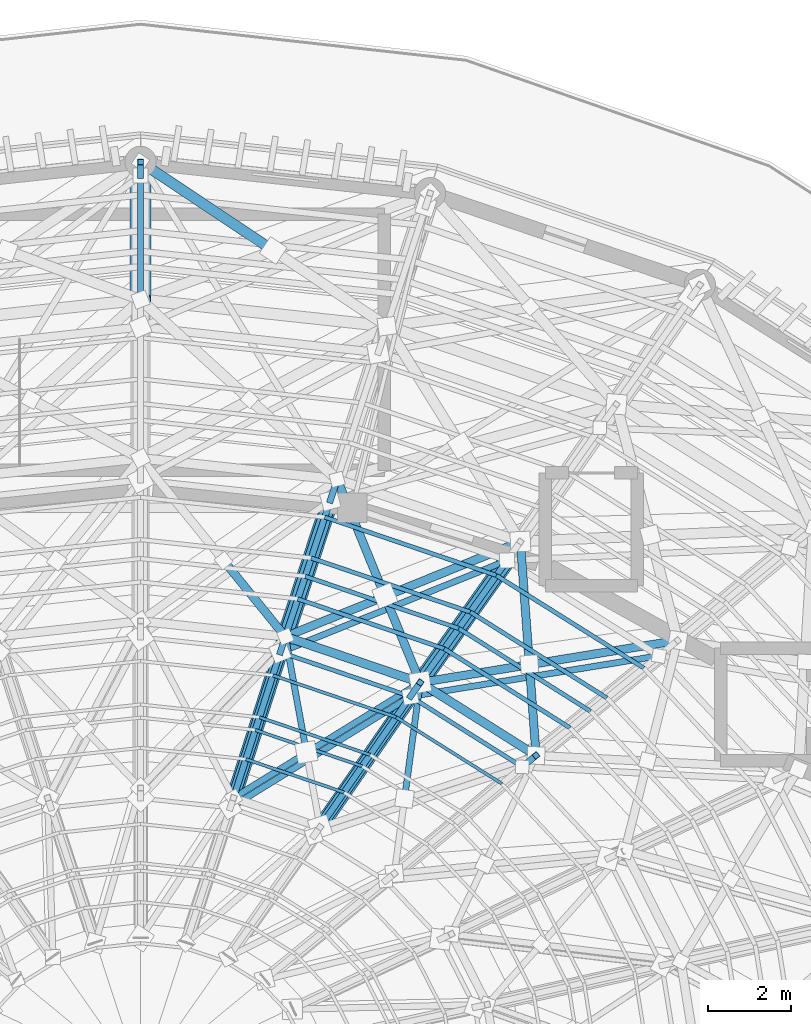
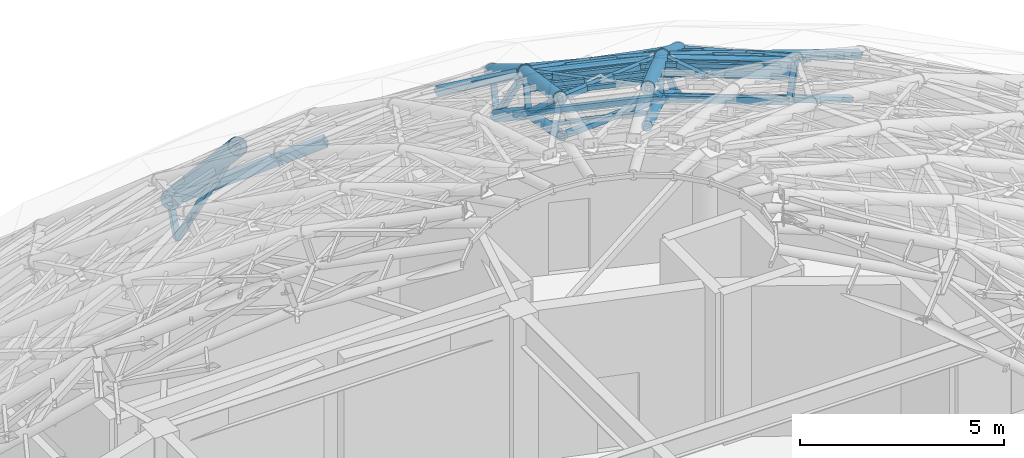
# One storey, part 31 of 50: 48 members, 2 beams.
"""IFC4 building model written with IfcOpenShell, lengths in metres."""

from ifc_helpers import new_model, si_unit, direction, frame, origin, origin_2d, place, context, subcontext, project, spatial, hollow_rectangle, hollow_circle, i_section, extrude, material, material_profile, profile_set, type_object, element, save


model = new_model("IFC4")

# Units and contexts
model_context = context("Model", 3, precision=1e-05, world=origin(), true_north=direction((0.0, 1.0)))
body_context = subcontext(model_context, "Body", "Model", "MODEL_VIEW")
ifc_project = project(units=[si_unit("LENGTHUNIT", "METRE"), si_unit("AREAUNIT", "SQUARE_METRE"), si_unit("VOLUMEUNIT", "CUBIC_METRE"), si_unit("PLANEANGLEUNIT", "RADIAN"), si_unit("MASSUNIT", "GRAM", prefix="KILO")], contexts=[model_context])

# Site, building, storey
site_placement = place(None, origin())
site = spatial("IfcSite", under=ifc_project, at=site_placement, CompositionType="ELEMENT")
building_placement = place(site_placement, origin())
building = spatial("IfcBuilding", under=site, at=building_placement, Name="Cinderbank Siding Concert Hall", CompositionType="ELEMENT")
storey_placement = place(building_placement, frame((0.0, 0.0, 23.699951171875)))
storey = spatial("IfcBuildingStorey", under=building, at=storey_placement, Name="L06", CompositionType="ELEMENT", Elevation=23.699951171875)

# Beams
ifc_material_1 = material(Name="Structural steel AS/NZS 3679.1 Grade 350 (340 MPa)", Category="steel")
ifc_material_profile_1 = material_profile(ifc_material_1, i_section(OverallWidth=0.208984375, OverallDepth=0.532958984375, WebThickness=0.01025390625, FlangeThickness=0.015625, at=origin_2d()), Name="530UB92.4", Category="LoadBearing")
ifc_profile_set_1 = profile_set([ifc_material_profile_1], Name="Structural steel AS/NZS 3679.1 Grade 350 (340 MPa)")
beam_type = type_object("IfcBeamType", Name="BM-UB530H 530UB92.4", PredefinedType="BEAM", material=ifc_profile_set_1)
beam_1_placement = place(storey_placement, frame((131.47509765625, 51.7783203125, 13.733642578125), z_axis=(-0.846132136799, 0.532973176694, 0.0), x_axis=(-0.532973176694, -0.846132136799, 0.0)))
element("IfcBeam", 1, at=beam_1_placement, inside=storey, type_object=beam_type, Name="L06 Beam BM-UB530H #2074", PredefinedType="BEAM", context=body_context, shape_type="SweptSolid", body=[
    extrude(i_section(OverallWidth=0.208984375, OverallDepth=0.532958984375, WebThickness=0.01025390625, FlangeThickness=0.015625, at=origin_2d()), origin(), (0.0, 0.0, 1.0), 3.27978515625),
])
beam_2_placement = place(storey_placement, frame((128.699951171875, 53.5263671875, 13.733642578125), z_axis=(-0.946763589156, 0.321929660406, 0.0), x_axis=(-0.321929660406, -0.946763589156, 0.0)))
element("IfcBeam", 2, at=beam_2_placement, inside=storey, type_object=beam_type, Name="L06 Beam BM-UB530H #2075", PredefinedType="BEAM", context=body_context, shape_type="SweptSolid", body=[
    extrude(i_section(OverallWidth=0.208984375, OverallDepth=0.532958984375, WebThickness=0.01025390625, FlangeThickness=0.015625, at=origin_2d()), origin(), (0.0, 0.0, 1.0), 3.413330078125),
])

# Members
ifc_material_2 = material(Name="Structural steel hollow section AS/NZS 1163 Grade C350L0 (350 MPa)", Category="steel")
ifc_material_profile_2 = material_profile(ifc_material_2, hollow_rectangle(XDim=0.14990234375, YDim=0.14990234375, WallThickness=0.008056640625, at=origin_2d()), Name="150x150x8.0SHS", Category="LoadBearing")
ifc_profile_set_2 = profile_set([ifc_material_profile_2], Name="Structural steel hollow section AS/NZS 1163 Grade C350L0 (350 MPa)")
member_type_1 = type_object("IfcMemberType", Name="BR-SHS150 150x150x8.0SHS Roof Truss", PredefinedType="BRACE", material=ifc_profile_set_2)
member_1_placement = place(storey_placement, frame((122.0, 65.669921875, 3.550048828125), z_axis=(0.0, -0.546596682908, 0.837396003235), x_axis=(1.0, 0.0, 0.0)))
element("IfcMember", 3, at=member_1_placement, inside=storey, type_object=member_type_1, Name="L06 Diagonal Brace BR-SHS150 #DWBD-BR-SHS150-L06-0602", PredefinedType="BRACE", context=body_context, shape_type="SweptSolid", body=[
    extrude(hollow_rectangle(XDim=0.14990234375, YDim=0.14990234375, WallThickness=0.008056640625, at=origin_2d()), origin(), (0.0, 0.0, 1.0), 5.43359375),
])
member_2_placement = place(storey_placement, frame((122.0, 65.669921875, 3.550048828125), z_axis=(0.0, 0.328219300306, 0.9446015514), x_axis=(-1.0, 0.0, 0.0)))
element("IfcMember", 4, at=member_2_placement, inside=storey, type_object=member_type_1, Name="L06 Diagonal Brace BR-SHS150 #DWBV-BR-SHS150-L06-0605", PredefinedType="BRACE", context=body_context, shape_type="SweptSolid", body=[
    extrude(hollow_rectangle(XDim=0.14990234375, YDim=0.14990234375, WallThickness=0.008056640625, at=origin_2d()), origin(), (0.0, 0.0, 1.0), 1.005615234375),
])
member_3_placement = place(storey_placement, frame((134.4189453125, 54.1669921875, 10.35009765625), z_axis=(-0.900772815962, -0.147389113623, 0.408515340239), x_axis=(0.161477818497, -0.986876341865, 0.0)))
element("IfcMember", 5, at=member_3_placement, inside=storey, type_object=member_type_1, Name="L06 Diagonal Brace BR-SHS150 #DBRI-BR-SHS150-L06-1151", PredefinedType="BRACE", context=body_context, shape_type="SweptSolid", body=[
    extrude(hollow_rectangle(XDim=0.14990234375, YDim=0.14990234375, WallThickness=0.008056640625, at=origin_2d()), origin(), (0.0, 0.0, 1.0), 6.609130859375),
])
member_4_placement = place(storey_placement, frame((130.781494140625, 56.4521484375, 10.35009765625), z_axis=(-0.406548227024, -0.57143724521, 0.712866056065), x_axis=(0.814825428758, -0.579706409011, 0.0)))
element("IfcMember", 6, at=member_4_placement, inside=storey, type_object=member_type_1, Name="L06 Diagonal Brace BR-SHS150 #DWBD-BR-SHS150-L06-1154", PredefinedType="BRACE", context=body_context, shape_type="SweptSolid", body=[
    extrude(hollow_rectangle(XDim=0.14990234375, YDim=0.14990234375, WallThickness=0.008056640625, at=origin_2d()), origin(), (0.0, 0.0, 1.0), 5.1201171875),
])
member_5_placement = place(storey_placement, frame((130.781494140625, 56.4521484375, 10.35009765625), z_axis=(-0.842011454203, -0.340647552066, 0.418301274517), x_axis=(0.375035146546, -0.927010592634, 0.0)))
element("IfcMember", 7, at=member_5_placement, inside=storey, type_object=member_type_1, Name="L06 Diagonal Brace BR-SHS150 #DBRI-BR-SHS150-L06-1163", PredefinedType="BRACE", context=body_context, shape_type="SweptSolid", body=[
    extrude(hollow_rectangle(XDim=0.14990234375, YDim=0.14990234375, WallThickness=0.008056640625, at=origin_2d()), origin(), (0.0, 0.0, 1.0), 6.45458984375),
])
member_6_placement = place(storey_placement, frame((126.545654296875, 57.888671875, 10.35009765625), z_axis=(-0.214909661332, -0.650962484257, 0.728053350762), x_axis=(0.949588685113, -0.313498531264, 0.0)))
element("IfcMember", 8, at=member_6_placement, inside=storey, type_object=member_type_1, Name="L06 Diagonal Brace BR-SHS150 #DWBD-BR-SHS150-L06-1166", PredefinedType="BRACE", context=body_context, shape_type="SweptSolid", body=[
    extrude(hollow_rectangle(XDim=0.14990234375, YDim=0.14990234375, WallThickness=0.008056640625, at=origin_2d()), origin(), (0.0, 0.0, 1.0), 5.01318359375),
])
member_7_placement = place(storey_placement, frame((126.545654296875, 57.888671875, 10.35009765625), z_axis=(0.151498168389, 0.463023290943, 0.873302775113), x_axis=(-0.950419411775, 0.310970966044, 0.0)))
element("IfcMember", 9, at=member_7_placement, inside=storey, type_object=member_type_1, Name="L06 Diagonal Brace BR-SHS150 #DWBV-BR-SHS150-L06-1169", PredefinedType="BRACE", context=body_context, shape_type="SweptSolid", body=[
    extrude(hollow_rectangle(XDim=0.14990234375, YDim=0.14990234375, WallThickness=0.008056640625, at=origin_2d()), origin(), (0.0, 0.0, 1.0), 1.087646484375),
])
member_8_placement = place(storey_placement, frame((131.1435546875, 51.505859375, 13.050048828125), z_axis=(0.318062435065, 0.261382678596, 0.911326167039), x_axis=(-0.634909259299, 0.772586715169, 0.0)))
element("IfcMember", 10, at=member_8_placement, inside=storey, type_object=member_type_1, Name="L06 Diagonal Brace BR-SHS150 #DWBV-BR-SHS150-L06-1433", PredefinedType="BRACE", context=body_context, shape_type="SweptSolid", body=[
    extrude(hollow_rectangle(XDim=0.14990234375, YDim=0.14990234375, WallThickness=0.008056640625, at=origin_2d()), origin(), (0.0, 0.0, 1.0), 1.04248046875),
])
member_9_placement = place(storey_placement, frame((128.699951171875, 53.5263671875, 14.0), z_axis=(-0.122937361445, -0.909369020593, 0.397409599214), x_axis=(0.990985247614, -0.133971037955, 0.0)))
element("IfcMember", 11, at=member_9_placement, inside=storey, type_object=member_type_1, Name="L06 Diagonal Brace BR-SHS150 #DBRO-BR-SHS150-L06-1438", PredefinedType="BRACE", context=body_context, shape_type="SweptSolid", body=[
    extrude(hollow_rectangle(XDim=0.14990234375, YDim=0.14990234375, WallThickness=0.008056640625, at=origin_2d()), origin(), (0.0, 0.0, 1.0), 3.056396484375),
])
member_10_placement = place(storey_placement, frame((128.465576171875, 53.19287109375, 13.050048828125), z_axis=(-0.44966610058, -0.650064082045, 0.612549661027), x_axis=(0.822416090957, -0.568886432722, 0.0)))
element("IfcMember", 12, at=member_10_placement, inside=storey, type_object=member_type_1, Name="L06 Diagonal Brace BR-SHS150 #DWBD-BR-SHS150-L06-1442", PredefinedType="BRACE", context=body_context, shape_type="SweptSolid", body=[
    extrude(hollow_rectangle(XDim=0.14990234375, YDim=0.14990234375, WallThickness=0.008056640625, at=origin_2d()), origin(), (0.0, 0.0, 1.0), 4.81591796875),
])
member_11_placement = place(storey_placement, frame((128.465576171875, 53.19287109375, 13.050048828125), z_axis=(0.226731640605, 0.322620230278, 0.918971680828), x_axis=(-0.81816123583, 0.574988862662, 0.0)))
element("IfcMember", 13, at=member_11_placement, inside=storey, type_object=member_type_1, Name="L06 Diagonal Brace BR-SHS150 #DWBV-BR-SHS150-L06-1445", PredefinedType="BRACE", context=body_context, shape_type="SweptSolid", body=[
    extrude(hollow_rectangle(XDim=0.14990234375, YDim=0.14990234375, WallThickness=0.008056640625, at=origin_2d()), origin(), (0.0, 0.0, 1.0), 1.03369140625),
])
member_12_placement = place(storey_placement, frame((128.699951171875, 53.5263671875, 14.0), z_axis=(-0.79512586973, -0.491367481976, 0.355433325594), x_axis=(0.525694470072, -0.850673453292, 0.0)))
element("IfcMember", 14, at=member_12_placement, inside=storey, type_object=member_type_1, Name="L06 Diagonal Brace BR-SHS150 #DBRO-BR-SHS150-L06-1449", PredefinedType="BRACE", context=body_context, shape_type="SweptSolid", body=[
    extrude(hollow_rectangle(XDim=0.14990234375, YDim=0.14990234375, WallThickness=0.008056640625, at=origin_2d()), origin(), (0.0, 0.0, 1.0), 5.626953125),
])
member_13_placement = place(storey_placement, frame((125.46826171875, 54.625244140625, 14.0), z_axis=(0.16466124813, -0.903366499175, 0.39599954739), x_axis=(0.983790694191, 0.179320578915, 0.0)))
element("IfcMember", 15, at=member_13_placement, inside=storey, type_object=member_type_1, Name="L06 Diagonal Brace BR-SHS150 #DBRO-BR-SHS150-L06-1450", PredefinedType="BRACE", context=body_context, shape_type="SweptSolid", body=[
    extrude(hollow_rectangle(XDim=0.14990234375, YDim=0.14990234375, WallThickness=0.008056640625, at=origin_2d()), origin(), (0.0, 0.0, 1.0), 3.064697265625),
])
member_14_placement = place(storey_placement, frame((128.465576171875, 53.19287109375, 13.050048828125), z_axis=(-0.79145995564, -0.489062730859, 0.366618035431), x_axis=(0.525663894449, -0.850692347487, 0.0)))
element("IfcMember", 16, at=member_14_placement, inside=storey, type_object=member_type_1, Name="L06 Diagonal Brace BR-SHS150 #DBRI-BR-SHS150-L06-1451", PredefinedType="BRACE", context=body_context, shape_type="SweptSolid", body=[
    extrude(hollow_rectangle(XDim=0.14990234375, YDim=0.14990234375, WallThickness=0.008056640625, at=origin_2d()), origin(), (0.0, 0.0, 1.0), 5.455322265625),
])
member_15_placement = place(storey_placement, frame((125.3466796875, 54.25341796875, 13.050048828125), z_axis=(-0.238143684101, -0.741923135199, 0.626767618164), x_axis=(0.95215246519, -0.305623433384, 0.0)))
element("IfcMember", 17, at=member_15_placement, inside=storey, type_object=member_type_1, Name="L06 Diagonal Brace BR-SHS150 #DWBD-BR-SHS150-L06-1454", PredefinedType="BRACE", context=body_context, shape_type="SweptSolid", body=[
    extrude(hollow_rectangle(XDim=0.14990234375, YDim=0.14990234375, WallThickness=0.008056640625, at=origin_2d()), origin(), (0.0, 0.0, 1.0), 4.70654296875),
])
member_16_placement = place(storey_placement, frame((125.3466796875, 54.25341796875, 13.050048828125), z_axis=(0.118345506347, 0.361928124833, 0.924663383931), x_axis=(-0.950477599938, 0.310793069448, 0.0)))
element("IfcMember", 18, at=member_16_placement, inside=storey, type_object=member_type_1, Name="L06 Diagonal Brace BR-SHS150 #DWBV-BR-SHS150-L06-1457", PredefinedType="BRACE", context=body_context, shape_type="SweptSolid", body=[
    extrude(hollow_rectangle(XDim=0.14990234375, YDim=0.14990234375, WallThickness=0.008056640625, at=origin_2d()), origin(), (0.0, 0.0, 1.0), 1.02734375),
])
ifc_material_profile_3 = material_profile(ifc_material_2, hollow_rectangle(XDim=0.199951171875, YDim=0.199951171875, WallThickness=0.009033203125, at=origin_2d()), Name="200x200x9.0SHS", Category="LoadBearing")
ifc_profile_set_3 = profile_set([ifc_material_profile_3], Name="Structural steel hollow section AS/NZS 1163 Grade C350L0 (350 MPa)")
member_type_2 = type_object("IfcMemberType", Name="BR-SHS200 200x200x9.0SHS Roof Truss", PredefinedType="BRACE", material=ifc_profile_set_3)
member_17_placement = place(storey_placement, frame((134.869384765625, 54.535888671875, 11.300048828125), z_axis=(-0.905989343653, -0.148249542382, 0.396491339591), x_axis=(0.161485110402, -0.986875148698, 0.0)))
element("IfcMember", 19, at=member_17_placement, inside=storey, type_object=member_type_2, Name="L06 Diagonal Brace BR-SHS200 #DBRO-BR-SHS200-L06-1149", PredefinedType="BRACE", context=body_context, shape_type="SweptSolid", body=[
    extrude(hollow_rectangle(XDim=0.199951171875, YDim=0.199951171875, WallThickness=0.009033203125, at=origin_2d()), origin(), (0.0, 0.0, 1.0), 6.8095703125),
])
member_18_placement = place(storey_placement, frame((131.10009765625, 56.90380859375, 11.300048828125), z_axis=(0.064591416256, -0.882920620616, 0.465058197043), x_axis=(0.997334753745, 0.072961558176, 0.0)))
element("IfcMember", 20, at=member_18_placement, inside=storey, type_object=member_type_2, Name="L06 Diagonal Brace BR-SHS200 #DBRO-BR-SHS200-L06-1150", PredefinedType="BRACE", context=body_context, shape_type="SweptSolid", body=[
    extrude(hollow_rectangle(XDim=0.199951171875, YDim=0.199951171875, WallThickness=0.009033203125, at=origin_2d()), origin(), (0.0, 0.0, 1.0), 3.326171875),
])
member_19_placement = place(storey_placement, frame((131.31689453125, 53.940673828125, 12.86083984375), z_axis=(0.064594301091, -0.882888464146, 0.465118840883), x_axis=(0.997334323225, 0.072967442864, 0.0)))
element("IfcMember", 21, at=member_19_placement, inside=storey, type_object=member_type_2, Name="L06 Diagonal Brace BR-SHS200 #DBRO-BR-SHS200-L06-1150-S108", PredefinedType="BRACE", context=body_context, shape_type="SweptSolid", body=[
    extrude(hollow_rectangle(XDim=0.199951171875, YDim=0.199951171875, WallThickness=0.009033203125, at=origin_2d()), origin(), (0.0, 0.0, 1.0), 2.44921875),
])
member_20_placement = place(storey_placement, frame((131.10009765625, 56.90380859375, 11.300048828125), z_axis=(-0.84711611979, -0.342731695249, 0.406114841718), x_axis=(0.375052994195, -0.927003371917, 0.0)))
element("IfcMember", 22, at=member_20_placement, inside=storey, type_object=member_type_2, Name="L06 Diagonal Brace BR-SHS200 #DBRO-BR-SHS200-L06-1161", PredefinedType="BRACE", context=body_context, shape_type="SweptSolid", body=[
    extrude(hollow_rectangle(XDim=0.199951171875, YDim=0.199951171875, WallThickness=0.009033203125, at=origin_2d()), origin(), (0.0, 0.0, 1.0), 6.648193359375),
])
member_21_placement = place(storey_placement, frame((126.71044921875, 58.392333984375, 11.300048828125), z_axis=(0.33665449552, -0.823365651214, 0.456872799636), x_axis=(0.925616635391, 0.378462474082, 0.0)))
element("IfcMember", 23, at=member_21_placement, inside=storey, type_object=member_type_2, Name="L06 Diagonal Brace BR-SHS200 #DBRO-BR-SHS200-L06-1162", PredefinedType="BRACE", context=body_context, shape_type="SweptSolid", body=[
    extrude(hollow_rectangle(XDim=0.199951171875, YDim=0.199951171875, WallThickness=0.009033203125, at=origin_2d()), origin(), (0.0, 0.0, 1.0), 3.387451171875),
])
member_22_placement = place(storey_placement, frame((127.861083984375, 55.57861328125, 12.861328125), z_axis=(0.336571996646, -0.823406345694, 0.456860242246), x_axis=(0.925655672175, 0.378366986628, 0.0)))
element("IfcMember", 24, at=member_22_placement, inside=storey, type_object=member_type_2, Name="L06 Diagonal Brace BR-SHS200 #DBRO-BR-SHS200-L06-1162-S109", PredefinedType="BRACE", context=body_context, shape_type="SweptSolid", body=[
    extrude(hollow_rectangle(XDim=0.199951171875, YDim=0.199951171875, WallThickness=0.009033203125, at=origin_2d()), origin(), (0.0, 0.0, 1.0), 2.492431640625),
])
member_23_placement = place(storey_placement, frame((124.005859375, 56.427734375, 12.861572265625), z_axis=(0.565667653098, -0.697216073926, 0.44035196434), x_axis=(0.776561015388, 0.63004205366, 0.0)))
element("IfcMember", 25, at=member_23_placement, inside=storey, type_object=member_type_2, Name="L06 Diagonal Brace BR-SHS200 #DBRO-BR-SHS200-L06-1174-S110", PredefinedType="BRACE", context=body_context, shape_type="SweptSolid", body=[
    extrude(hollow_rectangle(XDim=0.199951171875, YDim=0.199951171875, WallThickness=0.009033203125, at=origin_2d()), origin(), (0.0, 0.0, 1.0), 2.585205078125),
])
ifc_material_profile_4 = material_profile(ifc_material_2, hollow_rectangle(XDim=0.25, YDim=0.25, WallThickness=0.010009765625, at=origin_2d()), Name="250x250x10.0SHS", Category="LoadBearing")
ifc_profile_set_4 = profile_set([ifc_material_profile_4], Name="Structural steel hollow section AS/NZS 1163 Grade C350L0 (350 MPa)")
member_type_3 = type_object("IfcMemberType", Name="BR-SHS250 250x250x10.0SHS Roof Truss", PredefinedType="BRACE", material=ifc_profile_set_4)
member_24_placement = place(storey_placement, frame((122.0, 66.0, 4.5), z_axis=(0.741784304808, -0.494940830039, 0.452536871316), x_axis=(0.555024637853, 0.831833908528, 0.0)))
element("IfcMember", 26, at=member_24_placement, inside=storey, type_object=member_type_3, Name="L06 Diagonal Brace BR-SHS250 #DBRO-BR-SHS250-L06-0598", PredefinedType="BRACE", context=body_context, shape_type="SweptSolid", body=[
    extrude(hollow_rectangle(XDim=0.25, YDim=0.25, WallThickness=0.010009765625, at=origin_2d()), origin(), (0.0, 0.0, 1.0), 4.28369140625),
])
ifc_material_profile_5 = material_profile(ifc_material_2, hollow_circle(Radius=0.136474609375, WallThickness=0.00927734375, at=origin_2d()), Name="273.1x9.3CHS", Category="LoadBearing")
ifc_profile_set_5 = profile_set([ifc_material_profile_5], Name="Structural steel hollow section AS/NZS 1163 Grade C350L0 (350 MPa)")
member_type_4 = type_object("IfcMemberType", Name="DR-CHS273 273.1x9.3CHS Roof Truss", PredefinedType="RAFTER", material=ifc_profile_set_5)
member_25_placement = place(storey_placement, frame((128.465576171875, 53.19287109375, 13.050048828125), z_axis=(-0.511071945426, -0.737598511307, 0.441309305041), x_axis=(0.821969527033, -0.569531471149, 0.0)))
element("IfcMember", 27, at=member_25_placement, inside=storey, type_object=member_type_4, Name="L06 Roof Truss Member DR-CHS273 #1441", PredefinedType="RAFTER", context=body_context, shape_type="SweptSolid", body=[
    extrude(hollow_circle(Radius=0.136474609375, WallThickness=0.00927734375, at=origin_2d()), origin(), (0.0, 0.0, 1.0), 4.531982421875),
])
member_26_placement = place(storey_placement, frame((125.3466796875, 54.25341796875, 13.050048828125), z_axis=(-0.272588147626, -0.847854621293, 0.454794726141), x_axis=(0.95200780418, -0.306073750558, 0.0)))
element("IfcMember", 28, at=member_26_placement, inside=storey, type_object=member_type_4, Name="L06 Roof Truss Member DR-CHS273 #1453", PredefinedType="RAFTER", context=body_context, shape_type="SweptSolid", body=[
    extrude(hollow_circle(Radius=0.136474609375, WallThickness=0.00927734375, at=origin_2d()), origin(), (0.0, 0.0, 1.0), 4.397705078125),
])
ifc_material_profile_6 = material_profile(ifc_material_2, hollow_circle(Radius=0.161865234375, WallThickness=0.0126953125, at=origin_2d()), Name="323.9x12.7CHS", Category="LoadBearing")
ifc_profile_set_6 = profile_set([ifc_material_profile_6], Name="Structural steel hollow section AS/NZS 1163 Grade C350L0 (350 MPa)")
member_type_5 = type_object("IfcMemberType", Name="DR-CHS323 323.9x12.7CHS Roof Truss", PredefinedType="RAFTER", material=ifc_profile_set_6)
member_27_placement = place(storey_placement, frame((130.781494140625, 56.4521484375, 10.35009765625), z_axis=(-0.480029640001, -0.675563535105, 0.55962974792), x_axis=(0.815166751467, -0.57922635239, 0.0)))
element("IfcMember", 29, at=member_27_placement, inside=storey, type_object=member_type_5, Name="L06 Roof Truss Member DR-CHS323 #1153", PredefinedType="RAFTER", context=body_context, shape_type="SweptSolid", body=[
    extrude(hollow_circle(Radius=0.161865234375, WallThickness=0.0126953125, at=origin_2d()), origin(), (0.0, 0.0, 1.0), 4.824462890625),
])
member_28_placement = place(storey_placement, frame((126.545654296875, 57.888671875, 10.35009765625), z_axis=(-0.255957843649, -0.776056259813, 0.576387251663), x_axis=(0.949679883336, -0.313222156284, 0.0)))
element("IfcMember", 30, at=member_28_placement, inside=storey, type_object=member_type_5, Name="L06 Roof Truss Member DR-CHS323 #1165", PredefinedType="RAFTER", context=body_context, shape_type="SweptSolid", body=[
    extrude(hollow_circle(Radius=0.161865234375, WallThickness=0.0126953125, at=origin_2d()), origin(), (0.0, 0.0, 1.0), 4.684326171875),
])
ifc_material_profile_7 = material_profile(ifc_material_2, hollow_circle(Radius=0.177734375, WallThickness=0.0126953125, at=origin_2d()), Name="355.6x12.7CHS", Category="LoadBearing")
ifc_profile_set_7 = profile_set([ifc_material_profile_7], Name="Structural steel hollow section AS/NZS 1163 Grade C350L0 (350 MPa)")
member_type_6 = type_object("IfcMemberType", Name="DR-CHS355 355.6x12.7CHS Roof Truss", PredefinedType="RAFTER", material=ifc_profile_set_7)
member_29_placement = place(storey_placement, frame((128.699951171875, 53.5263671875, 14.0), z_axis=(-0.51447956634, -0.742619589705, 0.428750417849), x_axis=(0.822006531682, -0.569478060923, 0.0)))
element("IfcMember", 31, at=member_29_placement, inside=storey, type_object=member_type_6, Name="L06 Roof Truss Member DR-CHS355 #1440", PredefinedType="RAFTER", context=body_context, shape_type="SweptSolid", body=[
    extrude(hollow_circle(Radius=0.177734375, WallThickness=0.0126953125, at=origin_2d()), origin(), (0.0, 0.0, 1.0), 4.664794921875),
])
member_30_placement = place(storey_placement, frame((125.46826171875, 54.625244140625, 14.0), z_axis=(-0.274592480014, -0.853939985988, 0.442024286946), x_axis=(0.951992253749, -0.3061221142, 0.0)))
element("IfcMember", 32, at=member_30_placement, inside=storey, type_object=member_type_6, Name="L06 Roof Truss Member DR-CHS355 #1452", PredefinedType="RAFTER", context=body_context, shape_type="SweptSolid", body=[
    extrude(hollow_circle(Radius=0.177734375, WallThickness=0.0126953125, at=origin_2d()), origin(), (0.0, 0.0, 1.0), 4.524658203125),
])
ifc_material_profile_8 = material_profile(ifc_material_2, hollow_circle(Radius=0.203125, WallThickness=0.01611328125, at=origin_2d()), Name="406.4x16.0CHS", Category="LoadBearing")
ifc_profile_set_8 = profile_set([ifc_material_profile_8], Name="Structural steel hollow section AS/NZS 1163 Grade C350L0 (350 MPa)")
member_type_7 = type_object("IfcMemberType", Name="DR-CHS406 406.4x16.0CHS Roof Truss", PredefinedType="RAFTER", material=ifc_profile_set_8)
member_31_placement = place(storey_placement, frame((131.10009765625, 56.90380859375, 11.300048828125), z_axis=(-0.485323447255, -0.682938111008, 0.545945682351), x_axis=(0.815136478284, -0.579268954606, 0.0)))
element("IfcMember", 33, at=member_31_placement, inside=storey, type_object=member_type_7, Name="L06 Roof Truss Member DR-CHS406 #1152", PredefinedType="RAFTER", context=body_context, shape_type="SweptSolid", body=[
    extrude(hollow_circle(Radius=0.203125, WallThickness=0.01611328125, at=origin_2d()), origin(), (0.0, 0.0, 1.0), 4.945556640625),
])
member_32_placement = place(storey_placement, frame((126.71044921875, 58.392333984375, 11.300048828125), z_axis=(-0.258880473297, -0.785087598854, 0.562688513009), x_axis=(0.949700058716, -0.313160978532, 0.0)))
element("IfcMember", 34, at=member_32_placement, inside=storey, type_object=member_type_7, Name="L06 Roof Truss Member DR-CHS406 #1164", PredefinedType="RAFTER", context=body_context, shape_type="SweptSolid", body=[
    extrude(hollow_circle(Radius=0.203125, WallThickness=0.01611328125, at=origin_2d()), origin(), (0.0, 0.0, 1.0), 4.79833984375),
])
ifc_material_profile_9 = material_profile(ifc_material_2, hollow_circle(Radius=0.25390625, WallThickness=0.01611328125, at=origin_2d()), Name="508.0x16.0CHS", Category="LoadBearing")
ifc_profile_set_9 = profile_set([ifc_material_profile_9], Name="Structural steel hollow section AS/NZS 1163 Grade C350L0 (350 MPa)")
member_type_8 = type_object("IfcMemberType", Name="DR-CHS508 508.0x16.0CHS Roof Truss", PredefinedType="RAFTER", material=ifc_profile_set_9)
member_33_placement = place(storey_placement, frame((122.0, 66.0, 4.5), z_axis=(0.0, -0.675720101073, 0.737158290332), x_axis=(1.0, 0.0, 0.0)))
element("IfcMember", 35, at=member_33_placement, inside=storey, type_object=member_type_8, Name="L06 Roof Truss Member DR-CHS508 #600", PredefinedType="RAFTER", context=body_context, shape_type="SweptSolid", body=[
    extrude(hollow_circle(Radius=0.25390625, WallThickness=0.01611328125, at=origin_2d()), origin(), (0.0, 0.0, 1.0), 4.8837890625),
])
ifc_material_profile_10 = material_profile(ifc_material_2, hollow_rectangle(XDim=0.074951171875, YDim=0.125, WallThickness=0.0048828125, at=origin_2d()), Name="125x75x5.0RHS", Category="LoadBearing")
ifc_profile_set_10 = profile_set([ifc_material_profile_10], Name="Structural steel hollow section AS/NZS 1163 Grade C350L0 (350 MPa)")
member_type_9 = type_object("IfcMemberType", Name="PR-RHS125 125x75x5.0RHS Roof Truss", PredefinedType="PURLIN", material=ifc_profile_set_10)
member_34_placement = place(storey_placement, frame((130.66064453125, 51.099365234375, 14.47998046875), z_axis=(-0.846484441665, 0.532413457775, 0.0), x_axis=(-0.532413457775, -0.846484441665, 0.0)))
element("IfcMember", 36, at=member_34_placement, inside=storey, type_object=member_type_9, Name="L06 Roof Truss Member PR-RHS125 #1434", PredefinedType="PURLIN", context=body_context, shape_type="SweptSolid", body=[
    extrude(hollow_rectangle(XDim=0.074951171875, YDim=0.125, WallThickness=0.0048828125, at=origin_2d()), origin(), (0.0, 0.0, 1.0), 2.99658203125),
])
member_35_placement = place(storey_placement, frame((127.3076171875, 51.521484375, 14.050048828125), z_axis=(-0.947118458483, 0.320884131114, 0.0), x_axis=(-0.320884131114, -0.947118458483, 0.0)))
element("IfcMember", 37, at=member_35_placement, inside=storey, type_object=member_type_9, Name="L06 Roof Truss Member PR-RHS125 #1444", PredefinedType="PURLIN", context=body_context, shape_type="SweptSolid", body=[
    extrude(hollow_rectangle(XDim=0.074951171875, YDim=0.125, WallThickness=0.0048828125, at=origin_2d()), origin(), (0.0, 0.0, 1.0), 2.703369140625),
])
member_36_placement = place(storey_placement, frame((128.1240234375, 52.69482421875, 14.47998046875), z_axis=(-0.946891929051, 0.321551978221, 0.0), x_axis=(-0.321551978221, -0.946891929051, 0.0)))
element("IfcMember", 38, at=member_36_placement, inside=storey, type_object=member_type_9, Name="L06 Roof Truss Member PR-RHS125 #1446", PredefinedType="PURLIN", context=body_context, shape_type="SweptSolid", body=[
    extrude(hollow_rectangle(XDim=0.074951171875, YDim=0.125, WallThickness=0.0048828125, at=origin_2d()), origin(), (0.0, 0.0, 1.0), 3.119873046875),
])
member_37_placement = place(storey_placement, frame((127.5, 51.794189453125, 15.0), z_axis=(-0.947085190011, 0.320982309267, 0.0), x_axis=(-0.320982309267, -0.947085190011, 0.0)))
element("IfcMember", 39, at=member_37_placement, inside=storey, type_object=member_type_9, Name="L06 Roof Truss Member PR-RHS125 #1447", PredefinedType="PURLIN", context=body_context, shape_type="SweptSolid", body=[
    extrude(hollow_rectangle(XDim=0.074951171875, YDim=0.125, WallThickness=0.0048828125, at=origin_2d()), origin(), (0.0, 0.0, 1.0), 2.80126953125),
])
member_38_placement = place(storey_placement, frame((126.8759765625, 50.8935546875, 15.52001953125), z_axis=(-0.947327545455, 0.320266329204, 0.0), x_axis=(-0.320266329204, -0.947327545455, 0.0)))
element("IfcMember", 40, at=member_38_placement, inside=storey, type_object=member_type_9, Name="L06 Roof Truss Member PR-RHS125 #1448", PredefinedType="PURLIN", context=body_context, shape_type="SweptSolid", body=[
    extrude(hollow_rectangle(XDim=0.074951171875, YDim=0.125, WallThickness=0.0048828125, at=origin_2d()), origin(), (0.0, 0.0, 1.0), 2.48291015625),
])
ifc_material_profile_11 = material_profile(ifc_material_2, hollow_rectangle(XDim=0.10009765625, YDim=0.14990234375, WallThickness=0.006103515625, at=origin_2d()), Name="150x100x6.0RHS", Category="LoadBearing")
ifc_profile_set_11 = profile_set([ifc_material_profile_11], Name="Structural steel hollow section AS/NZS 1163 Grade C350L0 (350 MPa)")
member_type_10 = type_object("IfcMemberType", Name="PR-RHS150 150x100x6.0RHS Roof Truss", PredefinedType="PURLIN", material=ifc_profile_set_11)
member_39_placement = place(storey_placement, frame((132.78125, 52.83642578125, 11.699951171875), z_axis=(-0.84648739404, 0.532408763763, 0.0), x_axis=(-0.532408763763, -0.84648739404, 0.0)))
element("IfcMember", 41, at=member_39_placement, inside=storey, type_object=member_type_10, Name="L06 Roof Truss Member PR-RHS150 #1144", PredefinedType="PURLIN", context=body_context, shape_type="SweptSolid", body=[
    extrude(hollow_rectangle(XDim=0.10009765625, YDim=0.14990234375, WallThickness=0.006103515625, at=origin_2d()), origin(), (0.0, 0.0, 1.0), 3.73046875),
])
member_40_placement = place(storey_placement, frame((134.0546875, 53.8740234375, 11.947998046875), z_axis=(-0.84664709978, 0.532154759853, 0.0), x_axis=(-0.532154759853, -0.84664709978, 0.0)))
element("IfcMember", 42, at=member_40_placement, inside=storey, type_object=member_type_10, Name="L06 Roof Truss Member PR-RHS150 #1146", PredefinedType="PURLIN", context=body_context, shape_type="SweptSolid", body=[
    extrude(hollow_rectangle(XDim=0.10009765625, YDim=0.14990234375, WallThickness=0.006103515625, at=origin_2d()), origin(), (0.0, 0.0, 1.0), 4.170166015625),
])
member_41_placement = place(storey_placement, frame((133.17236328125, 53.156982421875, 12.650146484375), z_axis=(-0.846504821806, 0.532381054001, 0.0), x_axis=(-0.532381054001, -0.846504821806, 0.0)))
element("IfcMember", 43, at=member_41_placement, inside=storey, type_object=member_type_10, Name="L06 Roof Truss Member PR-RHS150 #1147", PredefinedType="PURLIN", context=body_context, shape_type="SweptSolid", body=[
    extrude(hollow_rectangle(XDim=0.10009765625, YDim=0.14990234375, WallThickness=0.006103515625, at=origin_2d()), origin(), (0.0, 0.0, 1.0), 3.865966796875),
])
member_42_placement = place(storey_placement, frame((132.289794921875, 52.43994140625, 13.35205078125), z_axis=(-0.846318691941, 0.532676892376, 0.0), x_axis=(-0.532676892376, -0.846318691941, 0.0)))
element("IfcMember", 44, at=member_42_placement, inside=storey, type_object=member_type_10, Name="L06 Roof Truss Member PR-RHS150 #1148", PredefinedType="PURLIN", context=body_context, shape_type="SweptSolid", body=[
    extrude(hollow_rectangle(XDim=0.10009765625, YDim=0.14990234375, WallThickness=0.006103515625, at=origin_2d()), origin(), (0.0, 0.0, 1.0), 3.561279296875),
])
member_43_placement = place(storey_placement, frame((129.62353515625, 54.822509765625, 11.699951171875), z_axis=(-0.946927451321, 0.32144735484, 0.0), x_axis=(-0.32144735484, -0.946927451321, 0.0)))
element("IfcMember", 45, at=member_43_placement, inside=storey, type_object=member_type_10, Name="L06 Roof Truss Member PR-RHS150 #1156", PredefinedType="PURLIN", context=body_context, shape_type="SweptSolid", body=[
    extrude(hollow_rectangle(XDim=0.10009765625, YDim=0.14990234375, WallThickness=0.006103515625, at=origin_2d()), origin(), (0.0, 0.0, 1.0), 3.88330078125),
])
member_44_placement = place(storey_placement, frame((130.52392578125, 56.09326171875, 11.947998046875), z_axis=(-0.94697717274, 0.321300847042, 0.0), x_axis=(-0.321300847042, -0.94697717274, 0.0)))
element("IfcMember", 46, at=member_44_placement, inside=storey, type_object=member_type_10, Name="L06 Roof Truss Member PR-RHS150 #1158", PredefinedType="PURLIN", context=body_context, shape_type="SweptSolid", body=[
    extrude(hollow_rectangle(XDim=0.10009765625, YDim=0.14990234375, WallThickness=0.006103515625, at=origin_2d()), origin(), (0.0, 0.0, 1.0), 4.341796875),
])
member_45_placement = place(storey_placement, frame((129.89990234375, 55.215087890625, 12.650146484375), z_axis=(-0.946915393689, 0.321482872319, 0.0), x_axis=(-0.321482872319, -0.946915393689, 0.0)))
element("IfcMember", 47, at=member_45_placement, inside=storey, type_object=member_type_10, Name="L06 Roof Truss Member PR-RHS150 #1159", PredefinedType="PURLIN", context=body_context, shape_type="SweptSolid", body=[
    extrude(hollow_rectangle(XDim=0.10009765625, YDim=0.14990234375, WallThickness=0.006103515625, at=origin_2d()), origin(), (0.0, 0.0, 1.0), 4.024169921875),
])
member_46_placement = place(storey_placement, frame((129.27587890625, 54.3369140625, 13.35205078125), z_axis=(-0.946842982336, 0.321696078312, 0.0), x_axis=(-0.321696078312, -0.946842982336, 0.0)))
element("IfcMember", 48, at=member_46_placement, inside=storey, type_object=member_type_10, Name="L06 Roof Truss Member PR-RHS150 #1160", PredefinedType="PURLIN", context=body_context, shape_type="SweptSolid", body=[
    extrude(hollow_rectangle(XDim=0.10009765625, YDim=0.14990234375, WallThickness=0.006103515625, at=origin_2d()), origin(), (0.0, 0.0, 1.0), 3.70654296875),
])
ifc_material_profile_12 = material_profile(ifc_material_2, hollow_rectangle(XDim=0.10009765625, YDim=0.199951171875, WallThickness=0.008056640625, at=origin_2d()), Name="200x100x8.0RHS", Category="LoadBearing")
ifc_profile_set_12 = profile_set([ifc_material_profile_12], Name="Structural steel hollow section AS/NZS 1163 Grade C350L0 (350 MPa)")
member_type_11 = type_object("IfcMemberType", Name="PR-RHS200 200x100x8.0RHS Roof Truss", PredefinedType="PURLIN", material=ifc_profile_set_12)
member_47_placement = place(storey_placement, frame((131.1435546875, 51.505859375, 13.050048828125), z_axis=(-0.846107868169, 0.533011702894, 0.0), x_axis=(-0.533011702894, -0.846107868169, 0.0)))
element("IfcMember", 49, at=member_47_placement, inside=storey, type_object=member_type_11, Name="L06 Roof Truss Member PR-RHS200 #1143", PredefinedType="PURLIN", context=body_context, shape_type="SweptSolid", body=[
    extrude(hollow_rectangle(XDim=0.10009765625, YDim=0.199951171875, WallThickness=0.008056640625, at=origin_2d()), origin(), (0.0, 0.0, 1.0), 3.1650390625),
])
member_48_placement = place(storey_placement, frame((128.465576171875, 53.19287109375, 13.050048828125), z_axis=(-0.946761450958, 0.321935948568, 0.0), x_axis=(-0.321935948568, -0.946761450958, 0.0)))
element("IfcMember", 50, at=member_48_placement, inside=storey, type_object=member_type_11, Name="L06 Roof Truss Member PR-RHS200 #1155", PredefinedType="PURLIN", context=body_context, shape_type="SweptSolid", body=[
    extrude(hollow_rectangle(XDim=0.10009765625, YDim=0.199951171875, WallThickness=0.008056640625, at=origin_2d()), origin(), (0.0, 0.0, 1.0), 3.294189453125),
])

save(model, "model.ifc")
